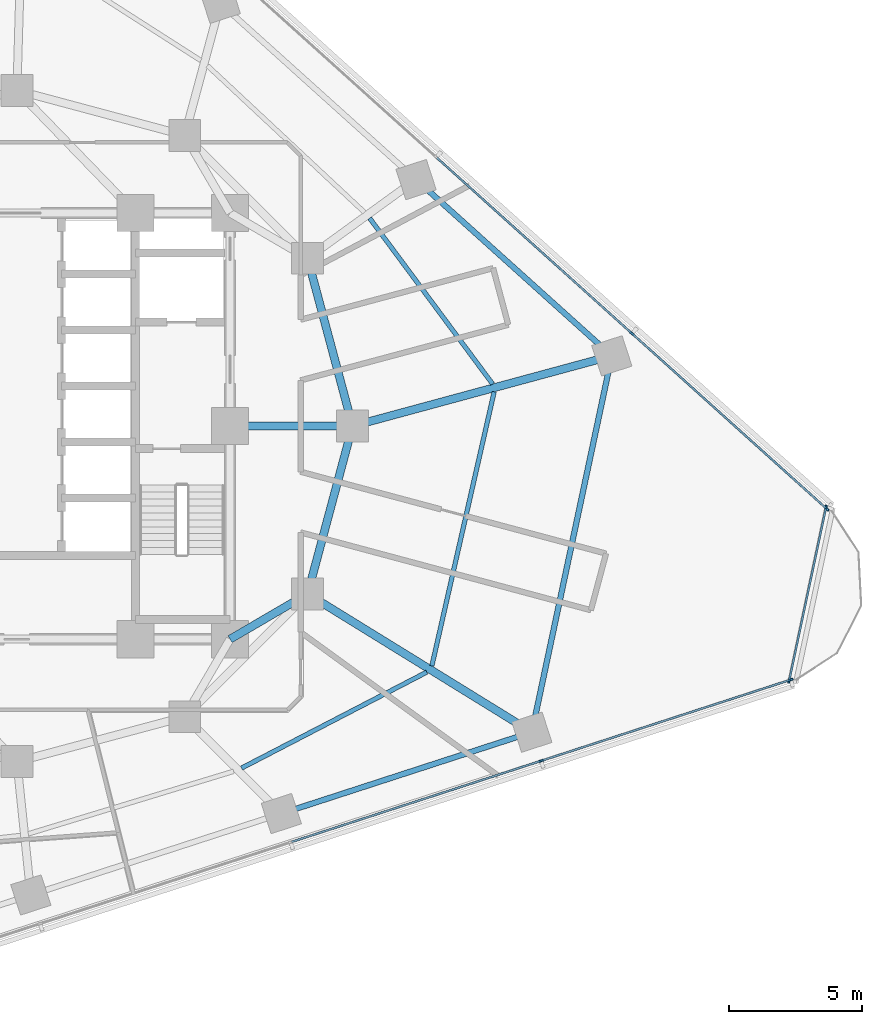
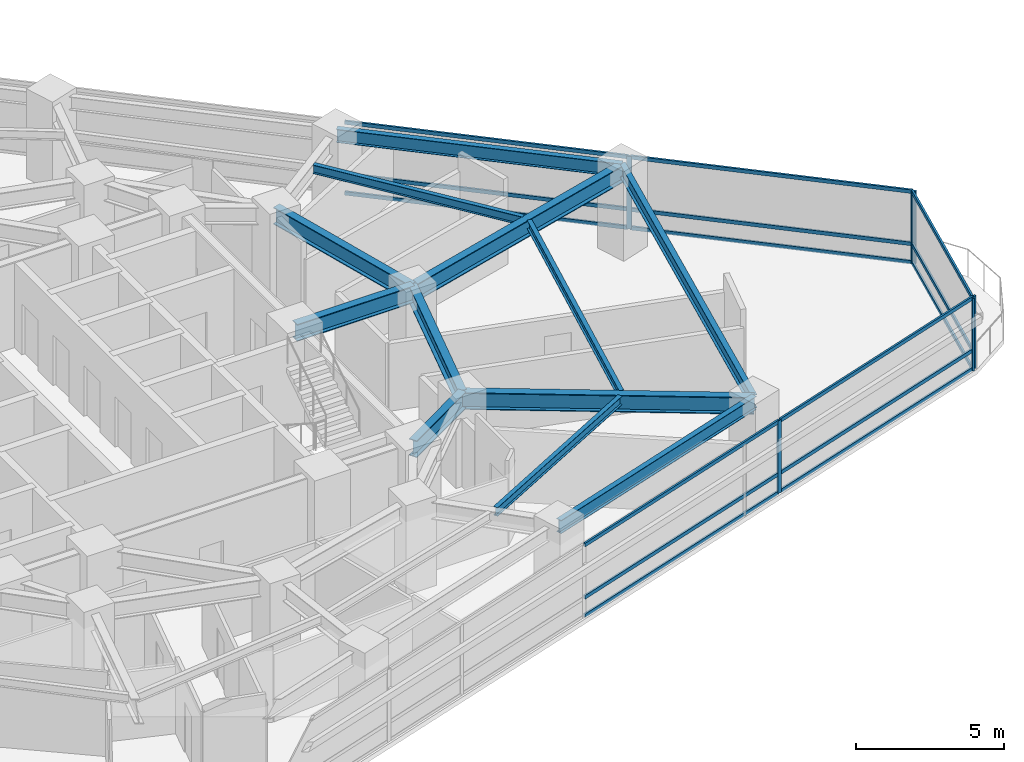
# One storey, part 4 of 13: 21 members, 12 beams, 3 elements without a shape of their own.
"""IFC4 building model written with IfcOpenShell, lengths in metres."""

from ifc_helpers import new_model, si_unit, direction, frame, origin, origin_2d, place, context, subcontext, project, spatial, rectangle, i_section, extrude, material, layer, layer_set, material_profile, profile_set, type_object, element, aggregate, save


model = new_model("IFC4")

# Units and contexts
model_context = context("Model", 3, precision=1e-05, world=origin(), true_north=direction((0.0, 1.0)))
body_context = subcontext(model_context, "Body", "Model", "MODEL_VIEW")
ifc_project = project(units=[si_unit("LENGTHUNIT", "METRE"), si_unit("AREAUNIT", "SQUARE_METRE"), si_unit("VOLUMEUNIT", "CUBIC_METRE"), si_unit("PLANEANGLEUNIT", "RADIAN"), si_unit("MASSUNIT", "GRAM", prefix="KILO")], contexts=[model_context])

# Site, building, storey
site_placement = place(None, origin())
site = spatial("IfcSite", under=ifc_project, at=site_placement, CompositionType="ELEMENT")
building_placement = place(site_placement, origin())
building = spatial("IfcBuilding", under=site, at=building_placement, Name="Terralouvre Media Tower", CompositionType="ELEMENT")
storey_placement = place(building_placement, frame((0.0, 0.0, 90.300048828125)))
storey = spatial("IfcBuildingStorey", under=building, at=storey_placement, Name="L22", CompositionType="ELEMENT", Elevation=90.300048828125)

# Beams
ifc_material_1 = material(Name="Structural steel S355J2", Category="steel")
ifc_material_profile_1 = material_profile(ifc_material_1, i_section(OverallWidth=0.169921875, OverallDepth=0.360107421875, WebThickness=0.008056640625, FlangeThickness=0.0126953125, at=origin_2d()), Name="IPE 360")
ifc_profile_set_1 = profile_set([ifc_material_profile_1], Name="Structural steel S355J2")
beam_type_1 = type_object("IfcBeamType", Name="Composite Floor Joist J-IPE360 (IPE 360)", PredefinedType="JOIST", material=ifc_profile_set_1)
beam_1_placement = place(storey_placement, frame((8.431640625, -12.83984375, 3.320068359375), z_axis=(0.88785826519, 0.460117051339, 0.0), x_axis=(-0.460117051339, 0.88785826519, 0.0)))
element("IfcBeam", 1, at=beam_1_placement, inside=storey, type_object=beam_type_1, Name="L22 Framing Beam JT-L22-05", PredefinedType="JOIST", context=body_context, shape_type="SweptSolid", body=[
    extrude(i_section(OverallWidth=0.169921875, OverallDepth=0.360107421875, WebThickness=0.008056640625, FlangeThickness=0.0126953125, at=origin_2d()), origin(), (0.0, 0.0, 1.0), 7.8349609375),
])
beam_2_placement = place(storey_placement, frame((15.576171875, -9.002685546875, 3.320068359375), z_axis=(0.221710109681, 0.975112622862, 0.0), x_axis=(-0.975112622862, 0.221710109681, 0.0)))
element("IfcBeam", 2, at=beam_2_placement, inside=storey, type_object=beam_type_1, Name="L22 Framing Beam JT-L22-06", PredefinedType="JOIST", context=body_context, shape_type="SweptSolid", body=[
    extrude(i_section(OverallWidth=0.169921875, OverallDepth=0.360107421875, WebThickness=0.008056640625, FlangeThickness=0.0126953125, at=origin_2d()), origin(), (0.0, 0.0, 1.0), 10.551513671875),
])
beam_3_placement = place(storey_placement, frame((17.85791015625, 1.57763671875, 3.320068359375), z_axis=(-0.595682426609, 0.803220048697, 0.0), x_axis=(-0.803220048697, -0.595682426609, 0.0)))
element("IfcBeam", 3, at=beam_3_placement, inside=storey, type_object=beam_type_1, Name="L22 Framing Beam JT-L22-07", PredefinedType="JOIST", context=body_context, shape_type="SweptSolid", body=[
    extrude(i_section(OverallWidth=0.169921875, OverallDepth=0.360107421875, WebThickness=0.008056640625, FlangeThickness=0.0126953125, at=origin_2d()), origin(), (0.0, 0.0, 1.0), 7.7509765625),
])

# Curtain wall, members
ifc_material_2 = material(Name="Low-iron laminated double glazing with solar-control coating", Category="glass")
ifc_layer_1 = layer(ifc_material_2, 0.1650390625, Name="Lower Media Tower Unitised Curtain Wall CW-02")
ifc_layer_set_1 = layer_set([ifc_layer_1], Name="Low-iron laminated double glazing with solar-control coating")
curtain_wall_type_1 = type_object("IfcCurtainWallType", Name="Lower Media Tower Unitised Curtain Wall CW-02", PredefinedType="NOTDEFINED", material=ifc_layer_set_1)
curtain_wall_1_placement = place(storey_placement, origin())
curtain_wall_1 = element("IfcCurtainWall", 4, at=curtain_wall_1_placement, inside=storey, type_object=curtain_wall_type_1, Name="L22 Facade Curtain Wall F0", PredefinedType="NOTDEFINED")
ifc_material_3 = material(Name="Anodised extruded aluminium 6063-T6", Category="aluminium")
ifc_material_profile_2 = material_profile(ifc_material_3, rectangle(XDim=0.074951171875, YDim=0.14990234375, at=origin_2d()), Name="ALU 75x150")
ifc_profile_set_2 = profile_set([ifc_material_profile_2], Name="Anodised extruded aluminium 6063-T6")
member_type_1 = type_object("IfcMemberType", Name="Curtain-Wall Horizontal Transom TR-150", PredefinedType="USERDEFINED", material=ifc_profile_set_2)
member_1_placement = place(storey_placement, frame((10.309814453125, -15.610107421875, 0.037353515625), z_axis=(0.951061672682, 0.309001124198, 0.0), x_axis=(-0.309001124198, 0.951061672682, 0.0)))
member_1 = element("IfcMember", 5, at=member_1_placement, type_object=member_type_1, Name="CW-02 transom 4.1", ObjectType="TRANSOM", PredefinedType="USERDEFINED", context=body_context, shape_type="SweptSolid", body=[
    extrude(rectangle(XDim=0.074951171875, YDim=0.14990234375, at=origin_2d()), origin(), (0.0, 0.0, 1.0), 9.81298828125),
])
member_2_placement = place(storey_placement, frame((10.309814453125, -15.610107421875, 0.800048828125), z_axis=(0.951061672682, 0.309001124198, 0.0), x_axis=(-0.309001124198, 0.951061672682, 0.0)))
member_2 = element("IfcMember", 6, at=member_2_placement, type_object=member_type_1, Name="CW-02 transom 4.2", ObjectType="TRANSOM", PredefinedType="USERDEFINED", context=body_context, shape_type="SweptSolid", body=[
    extrude(rectangle(XDim=0.074951171875, YDim=0.14990234375, at=origin_2d()), origin(), (0.0, 0.0, 1.0), 9.81298828125),
])
member_3_placement = place(storey_placement, frame((10.309814453125, -15.610107421875, 2.96240234375), z_axis=(0.951061672682, 0.309001124198, 0.0), x_axis=(-0.309001124198, 0.951061672682, 0.0)))
member_3 = element("IfcMember", 7, at=member_3_placement, type_object=member_type_1, Name="CW-02 transom 4.3", ObjectType="TRANSOM", PredefinedType="USERDEFINED", context=body_context, shape_type="SweptSolid", body=[
    extrude(rectangle(XDim=0.074951171875, YDim=0.14990234375, at=origin_2d()), origin(), (0.0, 0.0, 1.0), 9.81298828125),
])
member_4_placement = place(storey_placement, frame((19.7138671875, -12.5546875, 0.037353515625), z_axis=(0.951058475667, 0.309010963983, 0.0), x_axis=(-0.309010963983, 0.951058475667, 0.0)))
member_4 = element("IfcMember", 8, at=member_4_placement, type_object=member_type_1, Name="CW-02 transom 5.1", ObjectType="TRANSOM", PredefinedType="USERDEFINED", context=body_context, shape_type="SweptSolid", body=[
    extrude(rectangle(XDim=0.074951171875, YDim=0.14990234375, at=origin_2d()), origin(), (0.0, 0.0, 1.0), 9.775634765625),
])
member_5_placement = place(storey_placement, frame((19.7138671875, -12.5546875, 0.800048828125), z_axis=(0.951058475667, 0.309010963983, 0.0), x_axis=(-0.309010963983, 0.951058475667, 0.0)))
member_5 = element("IfcMember", 9, at=member_5_placement, type_object=member_type_1, Name="CW-02 transom 5.2", ObjectType="TRANSOM", PredefinedType="USERDEFINED", context=body_context, shape_type="SweptSolid", body=[
    extrude(rectangle(XDim=0.074951171875, YDim=0.14990234375, at=origin_2d()), origin(), (0.0, 0.0, 1.0), 9.775634765625),
])
member_6_placement = place(storey_placement, frame((19.7138671875, -12.5546875, 2.96240234375), z_axis=(0.951058475667, 0.309010963983, 0.0), x_axis=(-0.309010963983, 0.951058475667, 0.0)))
member_6 = element("IfcMember", 10, at=member_6_placement, type_object=member_type_1, Name="CW-02 transom 5.3", ObjectType="TRANSOM", PredefinedType="USERDEFINED", context=body_context, shape_type="SweptSolid", body=[
    extrude(rectangle(XDim=0.074951171875, YDim=0.14990234375, at=origin_2d()), origin(), (0.0, 0.0, 1.0), 9.775634765625),
])

curtain_wall_2_placement = place(storey_placement, origin())
curtain_wall_2 = element("IfcCurtainWall", 11, at=curtain_wall_2_placement, inside=storey, type_object=curtain_wall_type_1, Name="L22 Facade Curtain Wall F1", PredefinedType="NOTDEFINED")
member_7_placement = place(storey_placement, frame((30.380615234375, -3.09033203125, 0.037353515625), z_axis=(-0.743137656594, 0.669138568125, 0.0), x_axis=(-0.669138568125, -0.743137656594, 0.0)))
member_7 = element("IfcMember", 12, at=member_7_placement, type_object=member_type_1, Name="CW-02 transom 1.1", ObjectType="TRANSOM", PredefinedType="USERDEFINED", context=body_context, shape_type="SweptSolid", body=[
    extrude(rectangle(XDim=0.074951171875, YDim=0.14990234375, at=origin_2d()), origin(), (0.0, 0.0, 1.0), 9.775634765625),
])
member_8_placement = place(storey_placement, frame((30.380615234375, -3.09033203125, 0.800048828125), z_axis=(-0.743137656594, 0.669138568125, 0.0), x_axis=(-0.669138568125, -0.743137656594, 0.0)))
member_8 = element("IfcMember", 13, at=member_8_placement, type_object=member_type_1, Name="CW-02 transom 1.2", ObjectType="TRANSOM", PredefinedType="USERDEFINED", context=body_context, shape_type="SweptSolid", body=[
    extrude(rectangle(XDim=0.074951171875, YDim=0.14990234375, at=origin_2d()), origin(), (0.0, 0.0, 1.0), 9.775634765625),
])
member_9_placement = place(storey_placement, frame((30.380615234375, -3.09033203125, 2.96240234375), z_axis=(-0.743137656594, 0.669138568125, 0.0), x_axis=(-0.669138568125, -0.743137656594, 0.0)))
member_9 = element("IfcMember", 14, at=member_9_placement, type_object=member_type_1, Name="CW-02 transom 1.3", ObjectType="TRANSOM", PredefinedType="USERDEFINED", context=body_context, shape_type="SweptSolid", body=[
    extrude(rectangle(XDim=0.074951171875, YDim=0.14990234375, at=origin_2d()), origin(), (0.0, 0.0, 1.0), 9.775634765625),
])
member_10_placement = place(storey_placement, frame((23.060302734375, 3.5009765625, 0.037353515625), z_axis=(-0.743145676677, 0.669129661005, 0.0), x_axis=(-0.669129661005, -0.743145676677, 0.0)))
member_10 = element("IfcMember", 15, at=member_10_placement, type_object=member_type_1, Name="CW-02 transom 2.1", ObjectType="TRANSOM", PredefinedType="USERDEFINED", context=body_context, shape_type="SweptSolid", body=[
    extrude(rectangle(XDim=0.074951171875, YDim=0.14990234375, at=origin_2d()), origin(), (0.0, 0.0, 1.0), 9.81298828125),
])
member_11_placement = place(storey_placement, frame((23.060302734375, 3.5009765625, 0.800048828125), z_axis=(-0.743145676677, 0.669129661005, 0.0), x_axis=(-0.669129661005, -0.743145676677, 0.0)))
member_11 = element("IfcMember", 16, at=member_11_placement, type_object=member_type_1, Name="CW-02 transom 2.2", ObjectType="TRANSOM", PredefinedType="USERDEFINED", context=body_context, shape_type="SweptSolid", body=[
    extrude(rectangle(XDim=0.074951171875, YDim=0.14990234375, at=origin_2d()), origin(), (0.0, 0.0, 1.0), 9.81298828125),
])
member_12_placement = place(storey_placement, frame((23.060302734375, 3.5009765625, 2.96240234375), z_axis=(-0.743145676677, 0.669129661005, 0.0), x_axis=(-0.669129661005, -0.743145676677, 0.0)))
member_12 = element("IfcMember", 17, at=member_12_placement, type_object=member_type_1, Name="CW-02 transom 2.3", ObjectType="TRANSOM", PredefinedType="USERDEFINED", context=body_context, shape_type="SweptSolid", body=[
    extrude(rectangle(XDim=0.074951171875, YDim=0.14990234375, at=origin_2d()), origin(), (0.0, 0.0, 1.0), 9.81298828125),
])

ifc_material_4 = material(Name="Low-iron laminated double glazing with solar-control coating", Category="glass")
ifc_layer_2 = layer(ifc_material_4, 0.1650390625, Name="Rounded Wind-Corner Curved Glazing CW-04")
ifc_layer_set_2 = layer_set([ifc_layer_2], Name="Low-iron laminated double glazing with solar-control coating")
curtain_wall_type_2 = type_object("IfcCurtainWallType", Name="Rounded Wind-Corner Curved Glazing CW-04", PredefinedType="NOTDEFINED", material=ifc_layer_set_2)
curtain_wall_3_placement = place(storey_placement, origin())
curtain_wall_3 = element("IfcCurtainWall", 18, at=curtain_wall_3_placement, inside=storey, type_object=curtain_wall_type_2, Name="L22 Rounded Wind-Corner Curtain Wall C1", PredefinedType="NOTDEFINED")
member_13_placement = place(storey_placement, frame((28.998046875, -9.522216796875, 0.037353515625), z_axis=(0.207899641228, 0.978150161876, 0.0), x_axis=(-0.978150161876, 0.207899641228, 0.0)))
member_13 = element("IfcMember", 19, at=member_13_placement, type_object=member_type_1, Name="CW-04 transom 1.1", ObjectType="TRANSOM", PredefinedType="USERDEFINED", context=body_context, shape_type="SweptSolid", body=[
    extrude(rectangle(XDim=0.074951171875, YDim=0.14990234375, at=origin_2d()), origin(), (0.0, 0.0, 1.0), 6.5703125),
])
member_14_placement = place(storey_placement, frame((28.998046875, -9.522216796875, 0.800048828125), z_axis=(0.207899641228, 0.978150161876, 0.0), x_axis=(-0.978150161876, 0.207899641228, 0.0)))
member_14 = element("IfcMember", 20, at=member_14_placement, type_object=member_type_1, Name="CW-04 transom 1.2", ObjectType="TRANSOM", PredefinedType="USERDEFINED", context=body_context, shape_type="SweptSolid", body=[
    extrude(rectangle(XDim=0.074951171875, YDim=0.14990234375, at=origin_2d()), origin(), (0.0, 0.0, 1.0), 6.5703125),
])
member_15_placement = place(storey_placement, frame((28.998046875, -9.522216796875, 2.96240234375), z_axis=(0.207899641228, 0.978150161876, 0.0), x_axis=(-0.978150161876, 0.207899641228, 0.0)))
member_15 = element("IfcMember", 21, at=member_15_placement, type_object=member_type_1, Name="CW-04 transom 1.3", ObjectType="TRANSOM", PredefinedType="USERDEFINED", context=body_context, shape_type="SweptSolid", body=[
    extrude(rectangle(XDim=0.074951171875, YDim=0.14990234375, at=origin_2d()), origin(), (0.0, 0.0, 1.0), 6.5703125),
])

# Member
ifc_material_5 = material(Name="Anodised extruded aluminium 6063-T6", Category="aluminium")
ifc_material_profile_3 = material_profile(ifc_material_5, rectangle(XDim=0.074951171875, YDim=0.179931640625, at=origin_2d()), Name="ALU 75x180")
ifc_profile_set_3 = profile_set([ifc_material_profile_3], Name="Anodised extruded aluminium 6063-T6")
member_type_2 = type_object("IfcMemberType", Name="Curtain-Wall Vertical Mullion ML-180", PredefinedType="MULLION", material=ifc_profile_set_3)
member_16_placement = place(storey_placement, frame((19.67822265625, -12.566162109375, 0.0), z_axis=(0.0, 0.0, 1.0), x_axis=(-0.309017015439, 0.951056509451, 0.0)))
member_16 = element("IfcMember", 22, at=member_16_placement, type_object=member_type_2, Name="CW-02 mullion 5", PredefinedType="MULLION", context=body_context, shape_type="SweptSolid", body=[
    extrude(rectangle(XDim=0.074951171875, YDim=0.179931640625, at=origin_2d()), origin(), (0.0, 0.0, 1.0), 3.0),
])

member_17_placement = place(storey_placement, frame((29.046630859375, -9.522216796875, 0.0), z_axis=(0.0, 0.0, 1.0), x_axis=(-0.309017015439, 0.951056509451, 0.0)))
member_17 = element("IfcMember", 23, at=member_17_placement, type_object=member_type_2, Name="CW-02 mullion 6", PredefinedType="MULLION", context=body_context, shape_type="SweptSolid", body=[
    extrude(rectangle(XDim=0.074951171875, YDim=0.179931640625, at=origin_2d()), origin(), (0.0, 0.0, 1.0), 3.0),
])

aggregate(curtain_wall_1, [member_16, member_17, member_1, member_2, member_3, member_4, member_5, member_6])

member_18_placement = place(storey_placement, frame((30.408447265625, -3.115478515625, 0.0), z_axis=(0.0, 0.0, 1.0), x_axis=(-0.669130639602, -0.743144795545, 0.0)))
member_18 = element("IfcMember", 24, at=member_18_placement, type_object=member_type_2, Name="CW-02 mullion 1", PredefinedType="MULLION", context=body_context, shape_type="SweptSolid", body=[
    extrude(rectangle(XDim=0.074951171875, YDim=0.179931640625, at=origin_2d()), origin(), (0.0, 0.0, 1.0), 3.0),
])

member_19_placement = place(storey_placement, frame((23.088134765625, 3.475830078125, 0.0), z_axis=(0.0, 0.0, 1.0), x_axis=(-0.669130639602, -0.743144795545, 0.0)))
member_19 = element("IfcMember", 25, at=member_19_placement, type_object=member_type_2, Name="CW-02 mullion 2", PredefinedType="MULLION", context=body_context, shape_type="SweptSolid", body=[
    extrude(rectangle(XDim=0.074951171875, YDim=0.179931640625, at=origin_2d()), origin(), (0.0, 0.0, 1.0), 3.0),
])

aggregate(curtain_wall_2, [member_18, member_19, member_7, member_8, member_9, member_10, member_11, member_12])

member_20_placement = place(storey_placement, frame((28.990234375, -9.55908203125, 0.0), z_axis=(0.0, 0.0, 1.0), x_axis=(-0.978147617626, 0.207911611348, 0.0)))
member_20 = element("IfcMember", 26, at=member_20_placement, type_object=member_type_2, Name="CW-04 mullion 1", PredefinedType="MULLION", context=body_context, shape_type="SweptSolid", body=[
    extrude(rectangle(XDim=0.074951171875, YDim=0.179931640625, at=origin_2d()), origin(), (0.0, 0.0, 1.0), 3.0),
])

member_21_placement = place(storey_placement, frame((30.371826171875, -3.058837890625, 0.0), z_axis=(0.0, 0.0, 1.0), x_axis=(-0.978147617626, 0.207911611348, 0.0)))
member_21 = element("IfcMember", 27, at=member_21_placement, type_object=member_type_2, Name="CW-04 mullion 2", PredefinedType="MULLION", context=body_context, shape_type="SweptSolid", body=[
    extrude(rectangle(XDim=0.074951171875, YDim=0.179931640625, at=origin_2d()), origin(), (0.0, 0.0, 1.0), 3.0),
])

aggregate(curtain_wall_3, [member_20, member_21, member_13, member_14, member_15])

# Beams
ifc_material_6 = material(Name="Structural steel S355J2", Category="steel")
ifc_material_profile_4 = material_profile(ifc_material_6, i_section(OverallWidth=0.2099609375, OverallDepth=0.550048828125, WebThickness=0.010986328125, FlangeThickness=0.01708984375, at=origin_2d()), Name="IPE 550")
ifc_profile_set_4 = profile_set([ifc_material_profile_4], Name="Structural steel S355J2")
beam_type_2 = type_object("IfcBeamType", Name="Perimeter Spandrel Beam SPB-550 (IPE 550)", PredefinedType="SPANDREL", material=ifc_profile_set_4)
beam_4_placement = place(storey_placement, frame((9.925048828125, -14.547119140625, 3.224853515625), z_axis=(0.95105348149, 0.309026334389, 0.0), x_axis=(-0.309026334389, 0.95105348149, 0.0)))
element("IfcBeam", 28, at=beam_4_placement, inside=storey, type_object=beam_type_2, Name="L22 Framing Beam BM-L22-PR05", PredefinedType="SPANDREL", context=body_context, shape_type="SweptSolid", body=[
    extrude(i_section(OverallWidth=0.2099609375, OverallDepth=0.550048828125, WebThickness=0.010986328125, FlangeThickness=0.01708984375, at=origin_2d()), origin(), (0.0, 0.0, 1.0), 9.887939453125),
])
beam_5_placement = place(storey_placement, frame((19.3291015625, -11.491455078125, 3.224853515625), z_axis=(0.207911520129, 0.978147637015, 0.0), x_axis=(-0.978147637015, 0.207911520129, 0.0)))
element("IfcBeam", 29, at=beam_5_placement, inside=storey, type_object=beam_type_2, Name="L22 Framing Beam BM-L22-PR06", PredefinedType="SPANDREL", context=body_context, shape_type="SweptSolid", body=[
    extrude(i_section(OverallWidth=0.2099609375, OverallDepth=0.550048828125, WebThickness=0.010986328125, FlangeThickness=0.01708984375, at=origin_2d()), origin(), (0.0, 0.0, 1.0), 14.443359375),
])
beam_6_placement = place(storey_placement, frame((22.33203125, 2.63623046875, 3.224853515625), z_axis=(-0.743149256852, 0.669125684786, 0.0), x_axis=(-0.669125684786, -0.743149256852, 0.0)))
element("IfcBeam", 30, at=beam_6_placement, inside=storey, type_object=beam_type_2, Name="L22 Framing Beam BM-L22-PR07", PredefinedType="SPANDREL", context=body_context, shape_type="SweptSolid", body=[
    extrude(i_section(OverallWidth=0.2099609375, OverallDepth=0.550048828125, WebThickness=0.010986328125, FlangeThickness=0.01708984375, at=origin_2d()), origin(), (0.0, 0.0, 1.0), 9.887939453125),
])
ifc_material_7 = material(Name="Structural steel S460M", Category="steel")
ifc_material_profile_5 = material_profile(ifc_material_7, i_section(OverallWidth=0.300048828125, OverallDepth=0.699951171875, WebThickness=0.01708984375, FlangeThickness=0.031982421875, at=origin_2d()), Name="HEB 700")
ifc_profile_set_5 = profile_set([ifc_material_profile_5], Name="Structural steel S460M")
beam_type_3 = type_object("IfcBeamType", Name="Primary Floor Girder B-HEB700 (HEB 700)", PredefinedType="BEAM", material=ifc_profile_set_5)
for number, where, z_axis, x_axis, name in (
    (31, (10.911865234375, -6.300048828125, 3.14990234375), (0.258838989821, 0.965920481897, 0.0), (-0.965920481897, 0.258838989821, 0.0), "L22 Framing Beam BM-L22-MR05"),
    (32, (12.60009765625, 0.0, 3.14990234375), (-0.258838989821, 0.965920481897, 0.0), (-0.965920481897, -0.258838989821, 0.0), "L22 Framing Beam BM-L22-MR06"),
):
    element("IfcBeam", number, at=place(storey_placement, frame(where, z_axis=z_axis, x_axis=x_axis)), inside=storey, type_object=beam_type_3, Name=name, PredefinedType="BEAM", context=body_context, shape_type="SweptSolid", body=[
        extrude(i_section(OverallWidth=0.300048828125, OverallDepth=0.699951171875, WebThickness=0.01708984375, FlangeThickness=0.031982421875, at=origin_2d()), origin(), (0.0, 0.0, 1.0), 6.522216796875),
    ])
beam_7_placement = place(storey_placement, frame((8.0, -8.0, 3.14990234375), z_axis=(0.863602894532, 0.504172629717, 0.0), x_axis=(-0.504172629717, 0.863602894532, 0.0)))
element("IfcBeam", 33, at=beam_7_placement, inside=storey, type_object=beam_type_3, Name="L22 Framing Beam BM-L22-CM05", PredefinedType="BEAM", context=body_context, shape_type="SweptSolid", body=[
    extrude(i_section(OverallWidth=0.300048828125, OverallDepth=0.699951171875, WebThickness=0.01708984375, FlangeThickness=0.031982421875, at=origin_2d()), origin(), (0.0, 0.0, 1.0), 3.371826171875),
])
beam_8_placement = place(storey_placement, frame((8.0, 0.0, 3.14990234375), z_axis=(1.0, 0.0, 0.0), x_axis=(0.0, 1.0, 0.0)))
element("IfcBeam", 34, at=beam_8_placement, inside=storey, type_object=beam_type_3, Name="L22 Framing Beam BM-L22-CM06", PredefinedType="BEAM", context=body_context, shape_type="SweptSolid", body=[
    extrude(i_section(OverallWidth=0.300048828125, OverallDepth=0.699951171875, WebThickness=0.01708984375, FlangeThickness=0.031982421875, at=origin_2d()), origin(), (0.0, 0.0, 1.0), 4.60009765625),
])
beam_9_placement = place(storey_placement, frame((10.911865234375, -6.300048828125, 3.14990234375), z_axis=(0.851135757445, -0.524945637565, 0.0), x_axis=(0.524945637565, 0.851135757445, 0.0)))
element("IfcBeam", 35, at=beam_9_placement, inside=storey, type_object=beam_type_3, Name="L22 Framing Beam BM-L22-RD06", PredefinedType="BEAM", context=body_context, shape_type="SweptSolid", body=[
    extrude(i_section(OverallWidth=0.300048828125, OverallDepth=0.699951171875, WebThickness=0.01708984375, FlangeThickness=0.031982421875, at=origin_2d()), origin(), (0.0, 0.0, 1.0), 9.889404296875),
])
beam_10_placement = place(storey_placement, frame((12.60009765625, 0.0, 3.14990234375), z_axis=(0.965213896705, 0.261461533707, 0.0), x_axis=(-0.261461533707, 0.965213896705, 0.0)))
element("IfcBeam", 36, at=beam_10_placement, inside=storey, type_object=beam_type_3, Name="L22 Framing Beam BM-L22-RD07", PredefinedType="BEAM", context=body_context, shape_type="SweptSolid", body=[
    extrude(i_section(OverallWidth=0.300048828125, OverallDepth=0.699951171875, WebThickness=0.01708984375, FlangeThickness=0.031982421875, at=origin_2d()), origin(), (0.0, 0.0, 1.0), 10.082763671875),
])

save(model, "model.ifc")
